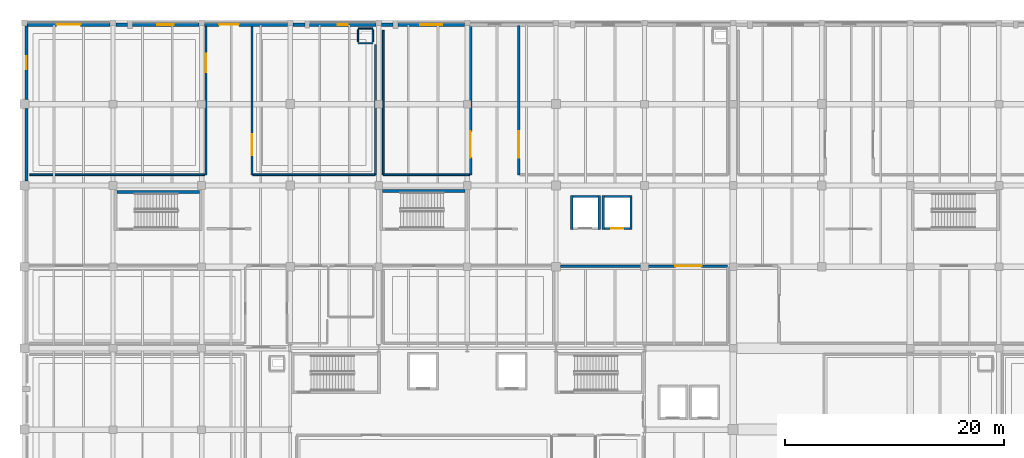
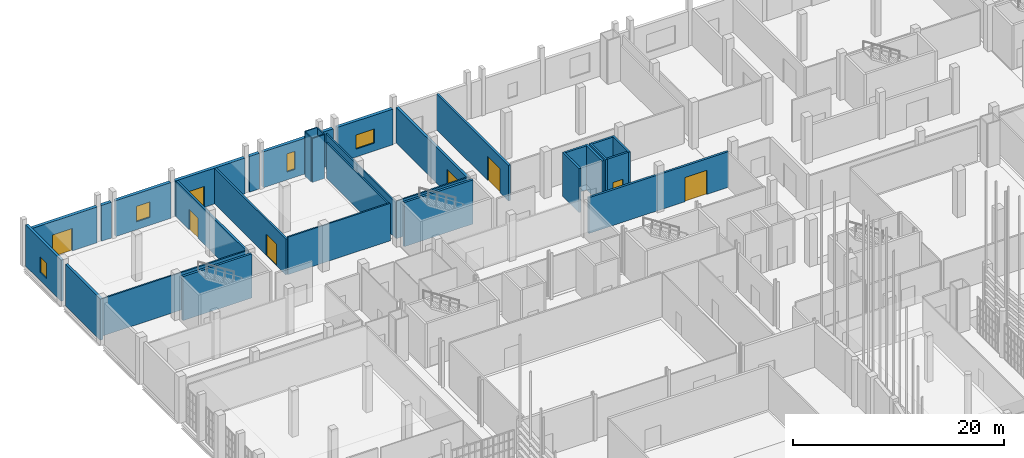
# One storey, part 354 of 372: 33 walls, 8 doors, 4 windows, 12 openings.
"""IFC4 building model written with IfcOpenShell, lengths in metres."""

from ifc_helpers import new_model, si_unit, direction, frame, frame_2d, origin, place, context, subcontext, project, spatial, rectangle, extrude, material, layer, layer_set, type_object, element, fill, save


model = new_model("IFC4")

# Units and contexts
model_context = context("Model", 3, precision=1e-05, world=origin(), true_north=direction((0.0, 1.0)))
body_context = subcontext(model_context, "Body", "Model", "MODEL_VIEW")
ifc_project = project(units=[si_unit("LENGTHUNIT", "METRE"), si_unit("AREAUNIT", "SQUARE_METRE"), si_unit("VOLUMEUNIT", "CUBIC_METRE"), si_unit("PLANEANGLEUNIT", "RADIAN"), si_unit("MASSUNIT", "GRAM", prefix="KILO")], contexts=[model_context])

# Site, building, storey
site_placement = place(None, origin())
site = spatial("IfcSite", under=ifc_project, at=site_placement, CompositionType="ELEMENT")
building_placement = place(site_placement, origin())
building = spatial("IfcBuilding", under=site, at=building_placement, Name="Kaelora Sail Theatre", CompositionType="ELEMENT")
storey_placement = place(building_placement, origin())
storey = spatial("IfcBuildingStorey", under=building, at=storey_placement, Name="L00", CompositionType="ELEMENT", Elevation=0.0)

# Walls
ifc_material_1 = material(Name="Concrete C40/50", Category="concrete")
ifc_layer_1 = layer(ifc_material_1, 0.25)
ifc_layer_set_1 = layer_set([ifc_layer_1], Name="Concrete C40/50")
wall_type_1 = type_object("IfcWallType", Name="ARC-WL-CW-250", PredefinedType="SHEAR", material=ifc_layer_set_1)
for number, where, z_axis, x_axis, name in (
    (1, (34.2548828125, 97.72509765625, 0.0), (0.0, 0.0, 1.0), (1.0, 0.0, 0.0), "Stair shaft ST-K2 wall L00-N"),
    (2, (9.955078125, 97.625, 0.0), (0.0, 0.0, 1.0), (1.0, 0.0, 0.0), "Stair shaft ST-W1 wall L00-N"),
):
    element("IfcWall", number, at=place(storey_placement, frame(where, z_axis=z_axis, x_axis=x_axis)), inside=storey, type_object=wall_type_1, Name=name, PredefinedType="SHEAR", context=body_context, shape_type="SweptSolid", body=[
        extrude(rectangle(XDim=7.5400390625, YDim=0.25, at=frame_2d((3.77001953125, 0.0))), origin(), (0.0, 0.0, 1.0), 5.10498046875),
    ])
ifc_material_2 = material(Name="Precast concrete C45/55", Category="concrete")
ifc_layer_2 = layer(ifc_material_2, 0.280029296875)
ifc_layer_set_2 = layer_set([ifc_layer_2], Name="Precast concrete C45/55")
wall_type_2 = type_object("IfcWallType", Name="ARC-WL-EW-280", PredefinedType="SOLIDWALL", material=ifc_layer_set_2)
wall_1_placement = place(storey_placement, frame((1.679931640625, 98.625, 0.0), z_axis=(0.0, 0.0, 1.0), x_axis=(0.0, 1.0, 0.0)))
element("IfcWall", 3, at=wall_1_placement, inside=storey, type_object=wall_type_2, Name="Stepped Wing Facade Wall WWAL-NW1-L00-S3", PredefinedType="SOLIDWALL", context=body_context, shape_type="SweptSolid", body=[
    extrude(rectangle(XDim=6.6298828125, YDim=0.280029296875, at=frame_2d((3.31494140625, 0.0))), origin(), (0.0, 0.0, 1.0), 4.787109375),
])

# Wall, opening, window
wall_2_placement = place(storey_placement, frame((1.679931640625, 106.06494140625, 0.0), z_axis=(0.0, 0.0, 1.0), x_axis=(0.0, 1.0, 0.0)))
wall_2 = element("IfcWall", 4, at=wall_2_placement, inside=storey, type_object=wall_type_2, Name="Stepped Wing Facade Wall WWAL-NW1-L00-S4", PredefinedType="SOLIDWALL", context=body_context, shape_type="SweptSolid", body=[
    extrude(rectangle(XDim=6.735107421875, YDim=0.280029296875, at=frame_2d((3.36767578125, 0.0))), origin(), (0.0, 0.0, 1.0), 4.787109375),
])
opening_1_placement = place(wall_2_placement, frame((2.76708984375, 0.0, 0.949951171875)))
opening_1 = element("IfcOpeningElement", 5, at=opening_1_placement, cuts=wall_2, Name="Opening W-05", PredefinedType="OPENING", context=body_context, shape_type="SweptSolid", body=[
    extrude(rectangle(XDim=1.199951171875, YDim=1.800048828125, at=frame_2d((0.60009765625, 0.89990234375))), frame((0.0, 0.150137, 0.0), z_axis=(0.0, -1.0, 0.0), x_axis=(1.0, 0.0, 0.0)), (0.0, 0.0, 1.0), 0.300029),
])
ifc_material_3 = material(Name="Thermally broken aluminium and low-E double glazing", Category="aluminium")
window_type_1 = type_object("IfcWindowType", Name="ARC-WIN-W-05", PartitioningType="SINGLE_PANEL", PredefinedType="WINDOW", material=ifc_material_3)
window_1_placement = place(opening_1_placement, origin())
window_1 = element("IfcWindow", 6, at=window_1_placement, inside=storey, type_object=window_type_1, Name="Stepped Wing Window WWAL-NW1-L00-S4", OverallHeight=1.800048828125, OverallWidth=1.199951171875, PartitioningType="SINGLE_PANEL", PredefinedType="WINDOW", context=body_context, shape_type="SweptSolid", body=[
    extrude(rectangle(XDim=1.199951171875, YDim=1.800048828125, at=frame_2d((0.60009765625, 0.89990234375))), frame((0.0, 0.030029296875, 0.0), z_axis=(0.0, -1.0, 0.0), x_axis=(1.0, 0.0, 0.0)), (0.0, 0.0, 1.0), 0.06005859375),
])
fill(opening_1, window_1)

# Wall, opening, door
ifc_material_4 = material(Name="Concrete C45/55", Category="concrete")
ifc_layer_3 = layer(ifc_material_4, 0.35009765625)
ifc_layer_set_3 = layer_set([ifc_layer_3], Name="Concrete C45/55")
wall_type_3 = type_object("IfcWallType", Name="ARC-WL-EW-350", PredefinedType="SOLIDWALL", material=ifc_layer_set_3)
wall_3_placement = place(storey_placement, frame((1.7548828125, 112.919921875, 0.0), z_axis=(0.0, 0.0, 1.0), x_axis=(1.0, 0.0, 0.0)))
wall_3 = element("IfcWall", 7, at=wall_3_placement, inside=storey, type_object=wall_type_3, Name="North Conservatory/Production Facade Wall L00 B01", PredefinedType="SOLIDWALL", context=body_context, shape_type="SweptSolid", body=[
    extrude(rectangle(XDim=7.590087890625, YDim=0.35009765625, at=frame_2d((3.794921875, 0.0))), origin(), (0.0, 0.0, 1.0), 4.136962890625),
])
opening_2_placement = place(wall_3_placement, frame((2.695068359375, 0.0, 0.0)))
opening_2 = element("IfcOpeningElement", 8, at=opening_2_placement, cuts=wall_3, Name="Opening ED-01", PredefinedType="OPENING", context=body_context, shape_type="SweptSolid", body=[
    extrude(rectangle(XDim=2.199951171875, YDim=2.60009765625, at=frame_2d((1.10009765625, 1.300048828125))), frame((0.0, 0.185049, 0.0), z_axis=(0.0, -1.0, 0.0), x_axis=(1.0, 0.0, 0.0)), (0.0, 0.0, 1.0), 0.370098),
])
ifc_material_5 = material(Name="Aluminium glazed double plaza entrance door", Category="aluminium")
door_type_1 = type_object("IfcDoorType", Name="ARC-DR-ED-01", OperationType="NOTDEFINED", PredefinedType="DOOR", material=ifc_material_5)
door_1_placement = place(opening_2_placement, origin())
door_1 = element("IfcDoor", 9, at=door_1_placement, inside=storey, type_object=door_type_1, Name="North protected final exit door B01", OperationType="DOUBLE_DOOR_SINGLE_SWING", OverallHeight=2.60009765625, OverallWidth=2.199951171875, PredefinedType="DOOR", context=body_context, shape_type="SweptSolid", body=[
    extrude(rectangle(XDim=2.199951171875, YDim=2.60009765625, at=frame_2d((1.10009765625, 1.300048828125))), frame((0.0, 0.02490234375, 0.0), z_axis=(0.0, -1.0, 0.0), x_axis=(1.0, 0.0, 0.0)), (0.0, 0.0, 1.0), 0.050048828125),
])
fill(opening_2, door_1)

# Wall, opening, window
wall_4_placement = place(storey_placement, frame((11.3798828125, 112.919921875, 0.0), z_axis=(0.0, 0.0, 1.0), x_axis=(1.0, 0.0, 0.0)))
wall_4 = element("IfcWall", 10, at=wall_4_placement, inside=storey, type_object=wall_type_3, Name="North Conservatory/Production Facade Wall L00 B02", PredefinedType="SOLIDWALL", context=body_context, shape_type="SweptSolid", body=[
    extrude(rectangle(XDim=6.065185546875, YDim=0.35009765625, at=frame_2d((3.03271484375, 0.0))), origin(), (0.0, 0.0, 1.0), 4.136962890625),
])
opening_3_placement = place(wall_4_placement, frame((2.281982421875, 0.0, 0.89990234375)))
opening_3 = element("IfcOpeningElement", 11, at=opening_3_placement, cuts=wall_4, Name="Opening W-04", PredefinedType="OPENING", context=body_context, shape_type="SweptSolid", body=[
    extrude(rectangle(XDim=1.5, YDim=1.800048828125, at=frame_2d((0.75, 0.89990234375))), frame((0.0, 0.185049, 0.0), z_axis=(0.0, -1.0, 0.0), x_axis=(1.0, 0.0, 0.0)), (0.0, 0.0, 1.0), 0.370098),
])
ifc_material_6 = material(Name="Thermally broken aluminium and low-E double glazing", Category="aluminium")
window_type_2 = type_object("IfcWindowType", Name="ARC-WIN-W-04", PartitioningType="SINGLE_PANEL", PredefinedType="WINDOW", material=ifc_material_6)
window_2_placement = place(opening_3_placement, origin())
window_2 = element("IfcWindow", 12, at=window_2_placement, inside=storey, type_object=window_type_2, Name="North facade window L00 B02", OverallHeight=1.800048828125, OverallWidth=1.5, PartitioningType="SINGLE_PANEL", PredefinedType="WINDOW", context=body_context, shape_type="SweptSolid", body=[
    extrude(rectangle(XDim=1.5, YDim=1.800048828125, at=frame_2d((0.75, 0.89990234375))), frame((0.0, 0.030029296875, 0.0), z_axis=(0.0, -1.0, 0.0), x_axis=(1.0, 0.0, 0.0)), (0.0, 0.0, 1.0), 0.06005859375),
])
fill(opening_3, window_2)

# Wall
wall_5_placement = place(storey_placement, frame((9.85498046875, 112.919921875, 0.0), z_axis=(0.0, 0.0, 1.0), x_axis=(1.0, 0.0, 0.0)))
element("IfcWall", 13, at=wall_5_placement, inside=storey, type_object=wall_type_3, Name="North Facade Pilaster Spandrel Pier L00 B02", PredefinedType="SOLIDWALL", context=body_context, shape_type="SweptSolid", body=[
    extrude(rectangle(XDim=1.06494140625, YDim=0.35009765625, at=frame_2d((0.532470703125, 0.0))), origin(), (0.0, 0.0, 1.0), 4.136962890625),
])

# Wall, opening, door
wall_6_placement = place(storey_placement, frame((17.955078125, 112.919921875, 0.0), z_axis=(0.0, 0.0, 1.0), x_axis=(1.0, 0.0, 0.0)))
wall_6 = element("IfcWall", 14, at=wall_6_placement, inside=storey, type_object=wall_type_3, Name="North Conservatory/Production Facade Wall L00 B03", PredefinedType="SOLIDWALL", context=body_context, shape_type="SweptSolid", body=[
    extrude(rectangle(XDim=7.58984375, YDim=0.35009765625, at=frame_2d((3.794921875, 0.0))), origin(), (0.0, 0.0, 1.0), 4.136962890625),
])
opening_4_placement = place(wall_6_placement, frame((1.344970703125, 0.0, 0.0)))
opening_4 = element("IfcOpeningElement", 15, at=opening_4_placement, cuts=wall_6, Name="Opening ED-02", PredefinedType="OPENING", context=body_context, shape_type="SweptSolid", body=[
    extrude(rectangle(XDim=1.800048828125, YDim=2.39990234375, at=frame_2d((0.89990234375, 1.199951171875))), frame((0.0, 0.185049, 0.0), z_axis=(0.0, -1.0, 0.0), x_axis=(1.0, 0.0, 0.0)), (0.0, 0.0, 1.0), 0.370098),
])
ifc_material_7 = material(Name="Aluminium glazed double foyer exit door", Category="aluminium")
door_type_2 = type_object("IfcDoorType", Name="ARC-DR-ED-02", OperationType="NOTDEFINED", PredefinedType="DOOR", material=ifc_material_7)
door_2_placement = place(opening_4_placement, origin())
door_2 = element("IfcDoor", 16, at=door_2_placement, inside=storey, type_object=door_type_2, Name="North protected final exit door B03", OperationType="DOUBLE_DOOR_SINGLE_SWING", OverallHeight=2.39990234375, OverallWidth=1.800048828125, PredefinedType="DOOR", context=body_context, shape_type="SweptSolid", body=[
    extrude(rectangle(XDim=1.800048828125, YDim=2.39990234375, at=frame_2d((0.89990234375, 1.199951171875))), frame((0.0, 0.02490234375, 0.0), z_axis=(0.0, -1.0, 0.0), x_axis=(1.0, 0.0, 0.0)), (0.0, 0.0, 1.0), 0.050048828125),
])
fill(opening_4, door_2)

# Wall, opening, window
wall_7_placement = place(storey_placement, frame((27.554931640625, 112.919921875, 0.0), z_axis=(0.0, 0.0, 1.0), x_axis=(1.0, 0.0, 0.0)))
wall_7 = element("IfcWall", 17, at=wall_7_placement, inside=storey, type_object=wall_type_3, Name="North Conservatory/Production Facade Wall L00 B04", PredefinedType="SOLIDWALL", context=body_context, shape_type="SweptSolid", body=[
    extrude(rectangle(XDim=6.090087890625, YDim=0.35009765625, at=frame_2d((3.044921875, 0.0))), origin(), (0.0, 0.0, 1.0), 4.136962890625),
])
opening_5_placement = place(wall_7_placement, frame((2.594970703125, 0.0, 0.89990234375)))
opening_5 = element("IfcOpeningElement", 18, at=opening_5_placement, cuts=wall_7, Name="Opening W-10", PredefinedType="OPENING", context=body_context, shape_type="SweptSolid", body=[
    extrude(rectangle(XDim=0.89990234375, YDim=2.10009765625, at=frame_2d((0.449951171875, 1.050048828125))), frame((0.0, 0.185049, 0.0), z_axis=(0.0, -1.0, 0.0), x_axis=(1.0, 0.0, 0.0)), (0.0, 0.0, 1.0), 0.370098),
])
ifc_material_8 = material(Name="Thermally broken aluminium and low-E double glazing", Category="aluminium")
window_type_3 = type_object("IfcWindowType", Name="ARC-WIN-W-10", PartitioningType="SINGLE_PANEL", PredefinedType="WINDOW", material=ifc_material_8)
window_3_placement = place(opening_5_placement, origin())
window_3 = element("IfcWindow", 19, at=window_3_placement, inside=storey, type_object=window_type_3, Name="North facade window L00 B04", OverallHeight=2.10009765625, OverallWidth=0.89990234375, PartitioningType="SINGLE_PANEL", PredefinedType="WINDOW", context=body_context, shape_type="SweptSolid", body=[
    extrude(rectangle(XDim=0.89990234375, YDim=2.10009765625, at=frame_2d((0.449951171875, 1.050048828125))), frame((0.0, 0.030029296875, 0.0), z_axis=(0.0, -1.0, 0.0), x_axis=(1.0, 0.0, 0.0)), (0.0, 0.0, 1.0), 0.06005859375),
])
fill(opening_5, window_3)

# Wall
wall_8_placement = place(storey_placement, frame((26.054931640625, 112.919921875, 0.0), z_axis=(0.0, 0.0, 1.0), x_axis=(1.0, 0.0, 0.0)))
element("IfcWall", 20, at=wall_8_placement, inside=storey, type_object=wall_type_3, Name="North Facade Pilaster Spandrel Pier L00 B04", PredefinedType="SOLIDWALL", context=body_context, shape_type="SweptSolid", body=[
    extrude(rectangle(XDim=1.090087890625, YDim=0.35009765625, at=frame_2d((0.544921875, 0.0))), origin(), (0.0, 0.0, 1.0), 4.136962890625),
])

# Wall, opening, window
wall_9_placement = place(storey_placement, frame((35.679931640625, 112.919921875, 0.0), z_axis=(0.0, 0.0, 1.0), x_axis=(1.0, 0.0, 0.0)))
wall_9 = element("IfcWall", 21, at=wall_9_placement, inside=storey, type_object=wall_type_3, Name="North Conservatory/Production Facade Wall L00 B05", PredefinedType="SOLIDWALL", context=body_context, shape_type="SweptSolid", body=[
    extrude(rectangle(XDim=6.065185546875, YDim=0.35009765625, at=frame_2d((3.03271484375, 0.0))), origin(), (0.0, 0.0, 1.0), 4.136962890625),
])
opening_6_placement = place(wall_9_placement, frame((2.031982421875, 0.0, 0.89990234375)))
opening_6 = element("IfcOpeningElement", 22, at=opening_6_placement, cuts=wall_9, Name="Opening W-15", PredefinedType="OPENING", context=body_context, shape_type="SweptSolid", body=[
    extrude(rectangle(XDim=2.0, YDim=1.64990234375, at=frame_2d((1.0, 0.824951171875))), frame((0.0, 0.185049, 0.0), z_axis=(0.0, -1.0, 0.0), x_axis=(1.0, 0.0, 0.0)), (0.0, 0.0, 1.0), 0.370098),
])
ifc_material_9 = material(Name="Thermally broken aluminium and low-E double glazing", Category="aluminium")
window_type_4 = type_object("IfcWindowType", Name="ARC-WIN-W-15", PartitioningType="SINGLE_PANEL", PredefinedType="WINDOW", material=ifc_material_9)
window_4_placement = place(opening_6_placement, origin())
window_4 = element("IfcWindow", 23, at=window_4_placement, inside=storey, type_object=window_type_4, Name="North facade window L00 B05", OverallHeight=1.64990234375, OverallWidth=2.0, PartitioningType="SINGLE_PANEL", PredefinedType="WINDOW", context=body_context, shape_type="SweptSolid", body=[
    extrude(rectangle(XDim=2.0, YDim=1.64990234375, at=frame_2d((1.0, 0.824951171875))), frame((0.0, 0.030029296875, 0.0), z_axis=(0.0, -1.0, 0.0), x_axis=(1.0, 0.0, 0.0)), (0.0, 0.0, 1.0), 0.06005859375),
])
fill(opening_6, window_4)

# Walls
wall_10_placement = place(storey_placement, frame((34.155029296875, 112.919921875, 0.0), z_axis=(0.0, 0.0, 1.0), x_axis=(1.0, 0.0, 0.0)))
element("IfcWall", 24, at=wall_10_placement, inside=storey, type_object=wall_type_3, Name="North Facade Pilaster Spandrel Pier L00 B05", PredefinedType="SOLIDWALL", context=body_context, shape_type="SweptSolid", body=[
    extrude(rectangle(XDim=1.06494140625, YDim=0.35009765625, at=frame_2d((0.532470703125, 0.0))), origin(), (0.0, 0.0, 1.0), 4.136962890625),
])
ifc_material_10 = material(Name="Standard metal-stud partition 120 mm", Category="gypsum")
ifc_layer_4 = layer(ifc_material_10, 0.1201171875)
ifc_layer_set_4 = layer_set([ifc_layer_4], Name="Standard metal-stud partition 120 mm")
wall_type_4 = type_object("IfcWallType", Name="ARC-WL-PT-120", PredefinedType="PARTITIONING", material=ifc_layer_set_4)
for number, where, z_axis, x_axis, name in (
    (25, (32.0048828125, 111.219970703125, 0.0), (0.0, 0.0, 1.0), (1.0, 0.0, 0.0), "MEP riser shaft wall NW1-L00-S"),
    (26, (32.0048828125, 112.580078125, 0.0), (0.0, 0.0, 1.0), (1.0, 0.0, 0.0), "MEP riser shaft wall NW1-L00-N"),
):
    element("IfcWall", number, at=place(storey_placement, frame(where, z_axis=z_axis, x_axis=x_axis)), inside=storey, type_object=wall_type_4, Name=name, PredefinedType="PARTITIONING", context=body_context, shape_type="SweptSolid", body=[
        extrude(rectangle(XDim=1.360107421875, YDim=0.1201171875, at=frame_2d((0.68017578125, 0.0))), origin(), (0.0, 0.0, 1.0), 5.0849609375),
    ])
for number, where, z_axis, x_axis, name in (
    (27, (32.0048828125, 111.340087890625, 0.0), (0.0, 0.0, 1.0), (0.0, 1.0, 0.0), "MEP riser shaft wall NW1-L00-W"),
    (28, (33.364990234375, 111.340087890625, 0.0), (0.0, 0.0, 1.0), (0.0, 1.0, 0.0), "MEP riser shaft wall NW1-L00-E"),
):
    element("IfcWall", number, at=place(storey_placement, frame(where, z_axis=z_axis, x_axis=x_axis)), inside=storey, type_object=wall_type_4, Name=name, PredefinedType="PARTITIONING", context=body_context, shape_type="SweptSolid", body=[
        extrude(rectangle(XDim=1.119873046875, YDim=0.1201171875, at=frame_2d((0.56005859375, 0.0))), origin(), (0.0, 0.0, 1.0), 5.0849609375),
    ])
ifc_material_11 = material(Name="Acoustic metal-stud plasterboard 160 mm", Category="gypsum")
ifc_layer_5 = layer(ifc_material_11, 0.159912109375)
ifc_layer_set_5 = layer_set([ifc_layer_5], Name="Acoustic metal-stud plasterboard 160 mm")
wall_type_5 = type_object("IfcWallType", Name="ARC-WL-PT-160", PredefinedType="PARTITIONING", material=ifc_layer_set_5)
wall_11_placement = place(storey_placement, frame((2.0, 99.199951171875, 0.0), z_axis=(0.0, 0.0, 1.0), x_axis=(1.0, 0.0, 0.0)))
element("IfcWall", 29, at=wall_11_placement, inside=storey, type_object=wall_type_5, Name="Room enclosure wall L00-DRESS-SOLO1-S1", PredefinedType="PARTITIONING", context=body_context, shape_type="SweptSolid", body=[
    extrude(rectangle(XDim=16.0, YDim=0.159912109375, at=frame_2d((8.0, 0.0))), origin(), (0.0, 0.0, 1.0), 4.3369140625),
])
wall_12_placement = place(storey_placement, frame((22.39990234375, 99.199951171875, 0.0), z_axis=(0.0, 0.0, 1.0), x_axis=(1.0, 0.0, 0.0)))
element("IfcWall", 30, at=wall_12_placement, inside=storey, type_object=wall_type_5, Name="Room enclosure wall L00-DRESS-SOLO2-S1", PredefinedType="PARTITIONING", context=body_context, shape_type="SweptSolid", body=[
    extrude(rectangle(XDim=11.2001953125, YDim=0.159912109375, at=frame_2d((5.60009765625, 0.0))), origin(), (0.0, 0.0, 1.0), 4.3369140625),
])
wall_13_placement = place(storey_placement, frame((33.60009765625, 99.199951171875, 0.0), z_axis=(0.0, 0.0, 1.0), x_axis=(0.0, 1.0, 0.0)))
element("IfcWall", 31, at=wall_13_placement, inside=storey, type_object=wall_type_5, Name="Room enclosure wall L00-DRESS-SOLO2-E1", PredefinedType="PARTITIONING", context=body_context, shape_type="SweptSolid", body=[
    extrude(rectangle(XDim=11.89013671875, YDim=0.159912109375, at=frame_2d((5.945068359375, 0.0))), origin(), (0.0, 0.0, 1.0), 4.136962890625),
])
wall_14_placement = place(storey_placement, frame((34.300048828125, 99.199951171875, 0.0), z_axis=(0.0, 0.0, 1.0), x_axis=(1.0, 0.0, 0.0)))
element("IfcWall", 32, at=wall_14_placement, inside=storey, type_object=wall_type_5, Name="Room enclosure wall L00-SCENE-W-S1", PredefinedType="PARTITIONING", context=body_context, shape_type="SweptSolid", body=[
    extrude(rectangle(XDim=7.89990234375, YDim=0.159912109375, at=frame_2d((3.949951171875, 0.0))), origin(), (0.0, 0.0, 1.0), 4.3369140625),
])
wall_15_placement = place(storey_placement, frame((34.300048828125, 99.199951171875, 0.0), z_axis=(0.0, 0.0, 1.0), x_axis=(0.0, 1.0, 0.0)))
element("IfcWall", 33, at=wall_15_placement, inside=storey, type_object=wall_type_5, Name="Room enclosure wall L00-SCENE-W-W1", PredefinedType="PARTITIONING", context=body_context, shape_type="SweptSolid", body=[
    extrude(rectangle(XDim=13.199951171875, YDim=0.159912109375, at=frame_2d((6.60009765625, 0.0))), origin(), (0.0, 0.0, 1.0), 4.136962890625),
])

# Wall, opening, door
ifc_material_12 = material(Name="Acoustic double-stud plasterboard 200 mm", Category="gypsum")
ifc_layer_6 = layer(ifc_material_12, 0.199951171875)
ifc_layer_set_6 = layer_set([ifc_layer_6], Name="Acoustic double-stud plasterboard 200 mm")
wall_type_6 = type_object("IfcWallType", Name="ARC-WL-PT-200", PredefinedType="PARTITIONING", material=ifc_layer_set_6)
wall_16_placement = place(storey_placement, frame((22.300048828125, 99.199951171875, 0.0), z_axis=(0.0, 0.0, 1.0), x_axis=(0.0, 1.0, 0.0)))
wall_16 = element("IfcWall", 34, at=wall_16_placement, inside=storey, type_object=wall_type_6, Name="Interior acoustic partition L00-COR-SP1/L00-DRESS-SOLO2", PredefinedType="PARTITIONING", context=body_context, shape_type="SweptSolid", body=[
    extrude(rectangle(XDim=13.64013671875, YDim=0.199951171875, at=frame_2d((6.820068359375, 0.0))), origin(), (0.0, 0.0, 1.0), 4.136962890625),
])
opening_7_placement = place(wall_16_placement, frame((1.77197265625, 0.0, 0.0)))
opening_7 = element("IfcOpeningElement", 35, at=opening_7_placement, cuts=wall_16, Name="Opening ID-10", PredefinedType="OPENING", context=body_context, shape_type="SweptSolid", body=[
    extrude(rectangle(XDim=1.949951171875, YDim=2.449951171875, at=frame_2d((0.97509765625, 1.22509765625))), frame((0.0, 0.110098, 0.0), z_axis=(0.0, -1.0, 0.0), x_axis=(1.0, 0.0, 0.0)), (0.0, 0.0, 1.0), 0.219951),
])
ifc_material_13 = material(Name="Foyer hospitality glazed double door", Category="steel")
door_type_3 = type_object("IfcDoorType", Name="ARC-DR-ID-10", OperationType="NOTDEFINED", PredefinedType="DOOR", material=ifc_material_13)
door_3_placement = place(opening_7_placement, origin())
door_3 = element("IfcDoor", 36, at=door_3_placement, inside=storey, type_object=door_type_3, Name="Interior door L00-COR-SP1 to L00-DRESS-SOLO2", OperationType="DOUBLE_DOOR_SINGLE_SWING", OverallHeight=2.449951171875, OverallWidth=1.949951171875, PredefinedType="DOOR", context=body_context, shape_type="SweptSolid", body=[
    extrude(rectangle(XDim=1.949951171875, YDim=2.449951171875, at=frame_2d((0.97509765625, 1.22509765625))), frame((0.0, 0.02490234375, 0.0), z_axis=(0.0, -1.0, 0.0), x_axis=(1.0, 0.0, 0.0)), (0.0, 0.0, 1.0), 0.050048828125),
])
fill(opening_7, door_3)

ifc_material_14 = material(Name="Studio box-in-box acoustic partition 215 mm", Category="gypsum")
ifc_layer_7 = layer(ifc_material_14, 0.215087890625)
ifc_layer_set_7 = layer_set([ifc_layer_7], Name="Studio box-in-box acoustic partition 215 mm")
wall_type_7 = type_object("IfcWallType", Name="ARC-WL-PT-215", PredefinedType="PARTITIONING", material=ifc_layer_set_7)
wall_17_placement = place(storey_placement, frame((18.10009765625, 99.199951171875, 0.0), z_axis=(0.0, 0.0, 1.0), x_axis=(0.0, 1.0, 0.0)))
wall_17 = element("IfcWall", 37, at=wall_17_placement, inside=storey, type_object=wall_type_7, Name="Interior acoustic partition L00-COR-SP1/L00-DRESS-SOLO1", PredefinedType="PARTITIONING", context=body_context, shape_type="SweptSolid", body=[
    extrude(rectangle(XDim=13.64013671875, YDim=0.215087890625, at=frame_2d((6.820068359375, 0.0))), origin(), (0.0, 0.0, 1.0), 4.136962890625),
])
opening_8_placement = place(wall_17_placement, frame((9.364013671875, 0.0, 0.0)))
opening_8 = element("IfcOpeningElement", 38, at=opening_8_placement, cuts=wall_17, Name="Opening ID-09", PredefinedType="OPENING", context=body_context, shape_type="SweptSolid", body=[
    extrude(rectangle(XDim=1.699951171875, YDim=2.35009765625, at=frame_2d((0.85009765625, 1.175048828125))), frame((0.0, 0.117422, 0.0), z_axis=(0.0, -1.0, 0.0), x_axis=(1.0, 0.0, 0.0)), (0.0, 0.0, 1.0), 0.235088),
])
ifc_material_15 = material(Name="Ballet studio acoustic double door", Category="steel")
door_type_4 = type_object("IfcDoorType", Name="ARC-DR-ID-09", OperationType="NOTDEFINED", PredefinedType="DOOR", material=ifc_material_15)
door_4_placement = place(opening_8_placement, origin())
door_4 = element("IfcDoor", 39, at=door_4_placement, inside=storey, type_object=door_type_4, Name="Interior door L00-COR-SP1 to L00-DRESS-SOLO1", OperationType="DOUBLE_DOOR_SINGLE_SWING", OverallHeight=2.35009765625, OverallWidth=1.699951171875, PredefinedType="DOOR", context=body_context, shape_type="SweptSolid", body=[
    extrude(rectangle(XDim=1.699951171875, YDim=2.35009765625, at=frame_2d((0.85009765625, 1.175048828125))), frame((0.0, 0.02490234375, 0.0), z_axis=(0.0, -1.0, 0.0), x_axis=(1.0, 0.0, 0.0)), (0.0, 0.0, 1.0), 0.050048828125),
])
fill(opening_8, door_4)

ifc_material_16 = material(Name="Concrete C40/50", Category="concrete")
ifc_layer_8 = layer(ifc_material_16, 0.22998046875)
ifc_layer_set_8 = layer_set([ifc_layer_8], Name="Concrete C40/50")
wall_type_8 = type_object("IfcWallType", Name="ARC-WL-PW-230", PredefinedType="SOLIDWALL", material=ifc_layer_set_8)
wall_18_placement = place(storey_placement, frame((50.5048828125, 90.85009765625, 0.0), z_axis=(0.0, 0.0, 1.0), x_axis=(1.0, 0.0, 0.0)))
wall_18 = element("IfcWall", 40, at=wall_18_placement, inside=storey, type_object=wall_type_8, Name="Interior acoustic partition L00-COR-BOH/L00-QUICK-BOH", PredefinedType="SOLIDWALL", context=body_context, shape_type="SweptSolid", body=[
    extrude(rectangle(XDim=15.295166015625, YDim=0.22998046875, at=frame_2d((7.6474609375, 0.0))), origin(), (0.0, 0.0, 1.0), 4.136962890625),
])
opening_9_placement = place(wall_18_placement, frame((10.52490234375, 0.0, 0.0)))
opening_9 = element("IfcOpeningElement", 41, at=opening_9_placement, cuts=wall_18, Name="Opening ID-05", PredefinedType="OPENING", context=body_context, shape_type="SweptSolid", body=[
    extrude(rectangle(XDim=2.39990234375, YDim=2.800048828125, at=frame_2d((1.199951171875, 1.39990234375))), frame((0.0, 0.12499, 0.0), z_axis=(0.0, -1.0, 0.0), x_axis=(1.0, 0.0, 0.0)), (0.0, 0.0, 1.0), 0.24998),
])
ifc_material_17 = material(Name="Scenery workshop oversize acoustic double door", Category="steel")
door_type_5 = type_object("IfcDoorType", Name="ARC-DR-ID-05", OperationType="NOTDEFINED", PredefinedType="DOOR", material=ifc_material_17)
door_5_placement = place(opening_9_placement, origin())
door_5 = element("IfcDoor", 42, at=door_5_placement, inside=storey, type_object=door_type_5, Name="Interior door L00-COR-BOH to L00-QUICK-BOH", OperationType="DOUBLE_DOOR_SINGLE_SWING", OverallHeight=2.800048828125, OverallWidth=2.39990234375, PredefinedType="DOOR", context=body_context, shape_type="SweptSolid", body=[
    extrude(rectangle(XDim=2.39990234375, YDim=2.800048828125, at=frame_2d((1.199951171875, 1.39990234375))), frame((0.0, 0.02490234375, 0.0), z_axis=(0.0, -1.0, 0.0), x_axis=(1.0, 0.0, 0.0)), (0.0, 0.0, 1.0), 0.050048828125),
])
fill(opening_9, door_5)

wall_19_placement = place(storey_placement, frame((46.699951171875, 99.199951171875, 0.0), z_axis=(0.0, 0.0, 1.0), x_axis=(0.0, 1.0, 0.0)))
wall_19 = element("IfcWall", 43, at=wall_19_placement, inside=storey, type_object=wall_type_8, Name="Interior acoustic partition L00-COR-SP2/L00-SCENE-DOCK", PredefinedType="SOLIDWALL", context=body_context, shape_type="SweptSolid", body=[
    extrude(rectangle(XDim=13.64013671875, YDim=0.22998046875, at=frame_2d((6.820068359375, 0.0))), origin(), (0.0, 0.0, 1.0), 4.136962890625),
])
opening_10_placement = place(wall_19_placement, frame((1.568115234375, 0.0, 0.0)))
opening_10 = element("IfcOpeningElement", 44, at=opening_10_placement, cuts=wall_19, Name="Opening ID-05", PredefinedType="OPENING", context=body_context, shape_type="SweptSolid", body=[
    extrude(rectangle(XDim=2.39990234375, YDim=2.800048828125, at=frame_2d((1.199951171875, 1.39990234375))), frame((0.0, 0.12499, 0.0), z_axis=(0.0, -1.0, 0.0), x_axis=(1.0, 0.0, 0.0)), (0.0, 0.0, 1.0), 0.24998),
])
door_6_placement = place(opening_10_placement, origin())
door_6 = element("IfcDoor", 45, at=door_6_placement, inside=storey, type_object=door_type_5, Name="Interior door L00-COR-SP2 to L00-SCENE-DOCK", OperationType="DOUBLE_DOOR_SINGLE_SWING", OverallHeight=2.800048828125, OverallWidth=2.39990234375, PredefinedType="DOOR", context=body_context, shape_type="SweptSolid", body=[
    extrude(rectangle(XDim=2.39990234375, YDim=2.800048828125, at=frame_2d((1.199951171875, 1.39990234375))), frame((0.0, 0.02490234375, 0.0), z_axis=(0.0, -1.0, 0.0), x_axis=(1.0, 0.0, 0.0)), (0.0, 0.0, 1.0), 0.050048828125),
])
fill(opening_10, door_6)

ifc_material_18 = material(Name="Concrete C45/55", Category="concrete")
ifc_layer_9 = layer(ifc_material_18, 0.27001953125)
ifc_layer_set_9 = layer_set([ifc_layer_9], Name="Concrete C45/55")
wall_type_9 = type_object("IfcWallType", Name="ARC-WL-PW-270", PredefinedType="SOLIDWALL", material=ifc_layer_set_9)
wall_20_placement = place(storey_placement, frame((42.300048828125, 99.199951171875, 0.0), z_axis=(0.0, 0.0, 1.0), x_axis=(0.0, 1.0, 0.0)))
wall_20 = element("IfcWall", 46, at=wall_20_placement, inside=storey, type_object=wall_type_9, Name="Interior acoustic partition L00-COR-SP2/L00-SCENE-W", PredefinedType="SOLIDWALL", context=body_context, shape_type="SweptSolid", body=[
    extrude(rectangle(XDim=13.64013671875, YDim=0.27001953125, at=frame_2d((6.820068359375, 0.0))), origin(), (0.0, 0.0, 1.0), 4.136962890625),
])
opening_11_placement = place(wall_20_placement, frame((1.568115234375, 0.0, 0.0)))
opening_11 = element("IfcOpeningElement", 47, at=opening_11_placement, cuts=wall_20, Name="Opening ID-05", PredefinedType="OPENING", context=body_context, shape_type="SweptSolid", body=[
    extrude(rectangle(XDim=2.39990234375, YDim=2.800048828125, at=frame_2d((1.199951171875, 1.39990234375))), frame((0.0, 0.14501, 0.0), z_axis=(0.0, -1.0, 0.0), x_axis=(1.0, 0.0, 0.0)), (0.0, 0.0, 1.0), 0.29002),
])
door_7_placement = place(opening_11_placement, origin())
door_7 = element("IfcDoor", 48, at=door_7_placement, inside=storey, type_object=door_type_5, Name="Interior door L00-COR-SP2 to L00-SCENE-W", OperationType="DOUBLE_DOOR_SINGLE_SWING", OverallHeight=2.800048828125, OverallWidth=2.39990234375, PredefinedType="DOOR", context=body_context, shape_type="SweptSolid", body=[
    extrude(rectangle(XDim=2.39990234375, YDim=2.800048828125, at=frame_2d((1.199951171875, 1.39990234375))), frame((0.0, 0.02490234375, 0.0), z_axis=(0.0, -1.0, 0.0), x_axis=(1.0, 0.0, 0.0)), (0.0, 0.0, 1.0), 0.050048828125),
])
fill(opening_11, door_7)

# Walls
ifc_material_19 = material(Name="Concrete C40/50", Category="concrete")
ifc_layer_10 = layer(ifc_material_19, 0.219970703125)
ifc_layer_set_10 = layer_set([ifc_layer_10], Name="Concrete C40/50")
wall_type_10 = type_object("IfcWallType", Name="ARC-WL-SW-220", PredefinedType="SOLIDWALL", material=ifc_layer_set_10)
wall_21_placement = place(storey_placement, frame((51.64990234375, 97.2099609375, 0.0), z_axis=(0.0, 0.0, 1.0), x_axis=(1.0, 0.0, 0.0)))
element("IfcWall", 49, at=wall_21_placement, inside=storey, type_object=wall_type_10, Name="Lift PL-03 shaft wall L00-N", PredefinedType="SOLIDWALL", context=body_context, shape_type="SweptSolid", body=[
    extrude(rectangle(XDim=2.300048828125, YDim=0.219970703125, at=frame_2d((1.14990234375, 0.0))), origin(), (0.0, 0.0, 1.0), 5.10498046875),
])
for number, where, z_axis, x_axis, name in (
    (50, (51.5400390625, 94.179931640625, 0.0), (0.0, 0.0, 1.0), (0.0, 1.0, 0.0), "Lift PL-03 shaft wall L00-W"),
    (51, (54.06005859375, 94.179931640625, 0.0), (0.0, 0.0, 1.0), (0.0, 1.0, 0.0), "Lift PL-03 shaft wall L00-E"),
):
    element("IfcWall", number, at=place(storey_placement, frame(where, z_axis=z_axis, x_axis=x_axis)), inside=storey, type_object=wall_type_10, Name=name, PredefinedType="SOLIDWALL", context=body_context, shape_type="SweptSolid", body=[
        extrude(rectangle(XDim=3.14013671875, YDim=0.219970703125, at=frame_2d((1.570068359375, 0.0))), origin(), (0.0, 0.0, 1.0), 5.10498046875),
    ])

# Wall, opening, door
wall_22_placement = place(storey_placement, frame((54.550048828125, 94.2900390625, 0.0), z_axis=(0.0, 0.0, 1.0), x_axis=(1.0, 0.0, 0.0)))
wall_22 = element("IfcWall", 52, at=wall_22_placement, inside=storey, type_object=wall_type_10, Name="Lift PL-04 shaft wall L00-S", PredefinedType="SOLIDWALL", context=body_context, shape_type="SweptSolid", body=[
    extrude(rectangle(XDim=2.300048828125, YDim=0.219970703125, at=frame_2d((1.14990234375, 0.0))), origin(), (0.0, 0.0, 1.0), 5.10498046875),
])
opening_12_placement = place(wall_22_placement, frame((0.60009765625, 0.0, 0.0)))
opening_12 = element("IfcOpeningElement", 53, at=opening_12_placement, cuts=wall_22, Name="Opening LD-PAX", PredefinedType="OPENING", context=body_context, shape_type="SweptSolid", body=[
    extrude(rectangle(XDim=1.10009765625, YDim=2.199951171875, at=frame_2d((0.550048828125, 1.10009765625))), frame((0.0, 0.119863, 0.0), z_axis=(0.0, -1.0, 0.0), x_axis=(1.0, 0.0, 0.0)), (0.0, 0.0, 1.0), 0.239971),
])
ifc_material_20 = material(Name="Brushed bronze passenger lift landing door EI 90", Category="steel")
door_type_6 = type_object("IfcDoorType", Name="ARC-DR-LD-PAX", OperationType="NOTDEFINED", PredefinedType="DOOR", material=ifc_material_20)
door_8_placement = place(opening_12_placement, origin())
door_8 = element("IfcDoor", 54, at=door_8_placement, inside=storey, type_object=door_type_6, Name="Lift PL-04 sliding landing door (L00)", OperationType="SLIDING_TO_LEFT", OverallHeight=2.199951171875, OverallWidth=1.10009765625, PredefinedType="DOOR", context=body_context, shape_type="SweptSolid", body=[
    extrude(rectangle(XDim=1.10009765625, YDim=2.199951171875, at=frame_2d((0.550048828125, 1.10009765625))), frame((0.0, 0.02490234375, 0.0), z_axis=(0.0, -1.0, 0.0), x_axis=(1.0, 0.0, 0.0)), (0.0, 0.0, 1.0), 0.050048828125),
])
fill(opening_12, door_8)

# Walls
wall_23_placement = place(storey_placement, frame((54.550048828125, 97.2099609375, 0.0), z_axis=(0.0, 0.0, 1.0), x_axis=(1.0, 0.0, 0.0)))
element("IfcWall", 55, at=wall_23_placement, inside=storey, type_object=wall_type_10, Name="Lift PL-04 shaft wall L00-N", PredefinedType="SOLIDWALL", context=body_context, shape_type="SweptSolid", body=[
    extrude(rectangle(XDim=2.300048828125, YDim=0.219970703125, at=frame_2d((1.14990234375, 0.0))), origin(), (0.0, 0.0, 1.0), 5.10498046875),
])
for number, where, z_axis, x_axis, name in (
    (56, (54.43994140625, 94.179931640625, 0.0), (0.0, 0.0, 1.0), (0.0, 1.0, 0.0), "Lift PL-04 shaft wall L00-W"),
    (57, (56.9599609375, 94.179931640625, 0.0), (0.0, 0.0, 1.0), (0.0, 1.0, 0.0), "Lift PL-04 shaft wall L00-E"),
):
    element("IfcWall", number, at=place(storey_placement, frame(where, z_axis=z_axis, x_axis=x_axis)), inside=storey, type_object=wall_type_10, Name=name, PredefinedType="SOLIDWALL", context=body_context, shape_type="SweptSolid", body=[
        extrude(rectangle(XDim=3.14013671875, YDim=0.219970703125, at=frame_2d((1.570068359375, 0.0))), origin(), (0.0, 0.0, 1.0), 5.10498046875),
    ])

save(model, "model.ifc")
